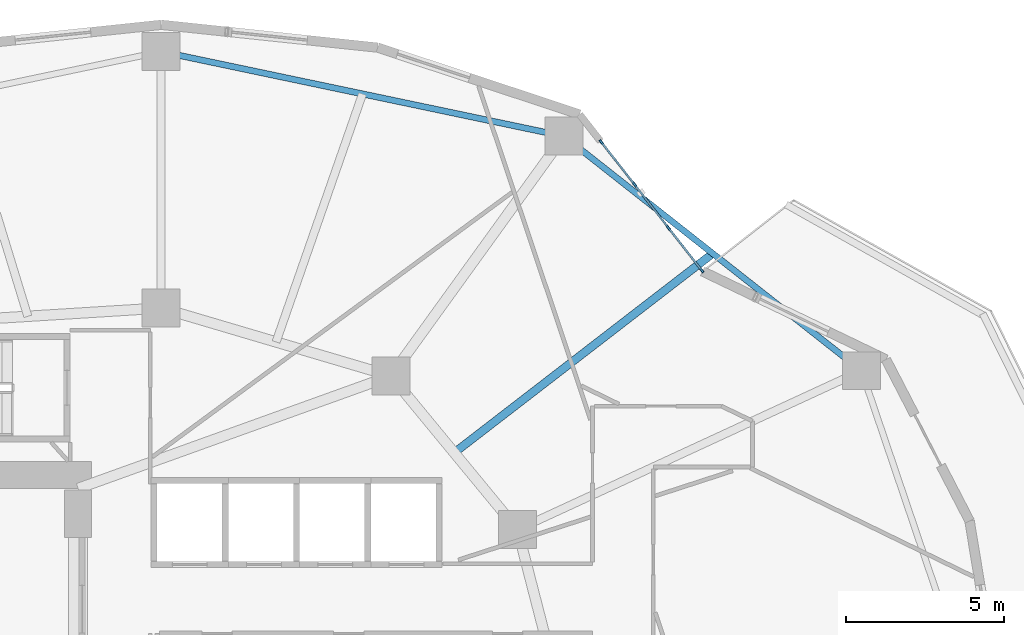
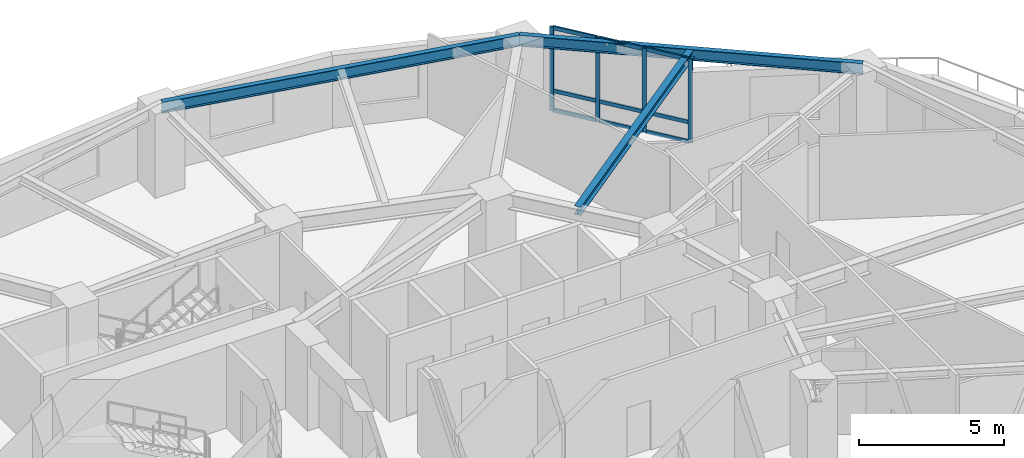
# One storey, part 3 of 12: 13 members, 3 beams, 1 element without a shape of its own.
"""IFC4 building model written with IfcOpenShell, lengths in metres."""

from ifc_helpers import new_model, si_unit, direction, frame, origin, origin_2d, place, context, subcontext, project, spatial, rectangle, i_section, extrude, material, layer, layer_set, material_profile, profile_set, type_object, element, aggregate, save


model = new_model("IFC4")

# Units and contexts
model_context = context("Model", 3, precision=1e-05, world=origin(), true_north=direction((0.0, 1.0)))
body_context = subcontext(model_context, "Body", "Model", "MODEL_VIEW")
ifc_project = project(units=[si_unit("LENGTHUNIT", "METRE"), si_unit("AREAUNIT", "SQUARE_METRE"), si_unit("VOLUMEUNIT", "CUBIC_METRE"), si_unit("PLANEANGLEUNIT", "RADIAN"), si_unit("MASSUNIT", "GRAM", prefix="KILO")], contexts=[model_context])

# Site, building, storey
site_placement = place(None, origin())
site = spatial("IfcSite", under=ifc_project, at=site_placement, CompositionType="ELEMENT")
building_placement = place(site_placement, origin())
building = spatial("IfcBuilding", under=site, at=building_placement, Name="Kolvaren Gate Tower and Convention Centre", CompositionType="ELEMENT")
storey_placement = place(building_placement, frame((0.0, 0.0, 91.949951171875)))
storey = spatial("IfcBuildingStorey", under=building, at=storey_placement, Name="L22", CompositionType="ELEMENT", Elevation=91.949951171875)

# Curtain wall, members
ifc_material_1 = material(Name="Anodized Architectural Aluminium Alloy 6063-T6", Category="aluminium")
ifc_layer = layer(ifc_material_1, 0.159912109375)
ifc_layer_set = layer_set([ifc_layer], Name="Anodized Architectural Aluminium Alloy 6063-T6")
curtain_wall_type = type_object("IfcCurtainWallType", Name="CW-OFF-UNIT", PredefinedType="NOTDEFINED", material=ifc_layer_set)
curtain_wall_placement = place(storey_placement, origin())
curtain_wall = element("IfcCurtainWall", 1, at=curtain_wall_placement, inside=storey, type_object=curtain_wall_type, Name="Tower L22 Unitised Curtain Wall CW-OFF-UNIT Bay 03", PredefinedType="NOTDEFINED")
ifc_material_profile_1 = material_profile(ifc_material_1, rectangle(XDim=0.06494140625, YDim=0.159912109375, at=origin_2d()), Name="CW-MEM-MUL-160")
ifc_profile_set_1 = profile_set([ifc_material_profile_1], Name="Anodized Architectural Aluminium Alloy 6063-T6")
member_type_1 = type_object("IfcMemberType", Name="CW-MEM-MUL-160", PredefinedType="MULLION", material=ifc_profile_set_1)
member_1_placement = place(storey_placement, frame((44.027099609375, 44.443603515625, 0.0), z_axis=(0.0, 0.0, 1.0), x_axis=(0.787406322976, 0.61643432946, 0.0)))
member_1 = element("IfcMember", 2, at=member_1_placement, type_object=member_type_1, Name="CW-02 mullion 1", PredefinedType="MULLION", context=body_context, shape_type="SweptSolid", body=[
    extrude(rectangle(XDim=0.06494140625, YDim=0.159912109375, at=origin_2d()), origin(), (0.0, 0.0, 1.0), 3.530029296875),
])
member_2_placement = place(storey_placement, frame((45.079345703125, 43.099365234375, 0.0), z_axis=(0.0, 0.0, 1.0), x_axis=(0.787406322976, 0.61643432946, 0.0)))
member_2 = element("IfcMember", 3, at=member_2_placement, type_object=member_type_1, Name="CW-02 mullion 2", PredefinedType="MULLION", context=body_context, shape_type="SweptSolid", body=[
    extrude(rectangle(XDim=0.06494140625, YDim=0.159912109375, at=origin_2d()), origin(), (0.0, 0.0, 1.0), 3.530029296875),
])
member_3_placement = place(storey_placement, frame((46.151611328125, 41.729736328125, 0.0), z_axis=(0.0, 0.0, 1.0), x_axis=(0.787406322976, 0.61643432946, 0.0)))
member_3 = element("IfcMember", 4, at=member_3_placement, type_object=member_type_1, Name="CW-02 mullion 3", PredefinedType="MULLION", context=body_context, shape_type="SweptSolid", body=[
    extrude(rectangle(XDim=0.06494140625, YDim=0.159912109375, at=origin_2d()), origin(), (0.0, 0.0, 1.0), 3.530029296875),
])
member_4_placement = place(storey_placement, frame((47.203857421875, 40.3857421875, 0.0), z_axis=(0.0, 0.0, 1.0), x_axis=(0.787406322976, 0.61643432946, 0.0)))
member_4 = element("IfcMember", 5, at=member_4_placement, type_object=member_type_1, Name="CW-02 mullion 4", PredefinedType="MULLION", context=body_context, shape_type="SweptSolid", body=[
    extrude(rectangle(XDim=0.06494140625, YDim=0.159912109375, at=origin_2d()), origin(), (0.0, 0.0, 1.0), 3.530029296875),
])
ifc_material_profile_2 = material_profile(ifc_material_1, rectangle(XDim=0.06494140625, YDim=0.159912109375, at=origin_2d()), Name="CW-MEM-TRN-160")
ifc_profile_set_2 = profile_set([ifc_material_profile_2], Name="Anodized Architectural Aluminium Alloy 6063-T6")
member_type_2 = type_object("IfcMemberType", Name="CW-MEM-TRN-160", PredefinedType="USERDEFINED", material=ifc_profile_set_2)
member_5_placement = place(storey_placement, frame((44.047119140625, 44.41796875, 0.032470703125), z_axis=(0.616428523412, -0.787410868304, 0.0), x_axis=(0.787410868304, 0.616428523412, 0.0)))
member_5 = element("IfcMember", 6, at=member_5_placement, type_object=member_type_2, Name="CW-02 transom 1.1", ObjectType="TRANSOM", PredefinedType="USERDEFINED", context=body_context, shape_type="SweptSolid", body=[
    extrude(rectangle(XDim=0.06494140625, YDim=0.159912109375, at=origin_2d()), origin(), (0.0, 0.0, 1.0), 1.64208984375),
])
member_6_placement = place(storey_placement, frame((44.047119140625, 44.41796875, 0.85009765625), z_axis=(0.616428523412, -0.787410868304, 0.0), x_axis=(0.787410868304, 0.616428523412, 0.0)))
member_6 = element("IfcMember", 7, at=member_6_placement, type_object=member_type_2, Name="CW-02 transom 1.2", ObjectType="TRANSOM", PredefinedType="USERDEFINED", context=body_context, shape_type="SweptSolid", body=[
    extrude(rectangle(XDim=0.06494140625, YDim=0.159912109375, at=origin_2d()), origin(), (0.0, 0.0, 1.0), 1.64208984375),
])
member_7_placement = place(storey_placement, frame((44.047119140625, 44.41796875, 3.49755859375), z_axis=(0.616428523412, -0.787410868304, 0.0), x_axis=(0.787410868304, 0.616428523412, 0.0)))
member_7 = element("IfcMember", 8, at=member_7_placement, type_object=member_type_2, Name="CW-02 transom 1.3", ObjectType="TRANSOM", PredefinedType="USERDEFINED", context=body_context, shape_type="SweptSolid", body=[
    extrude(rectangle(XDim=0.06494140625, YDim=0.159912109375, at=origin_2d()), origin(), (0.0, 0.0, 1.0), 1.64208984375),
])
member_8_placement = place(storey_placement, frame((45.099365234375, 43.07373046875, 0.032470703125), z_axis=(0.616481234943, -0.787369599974, 0.0), x_axis=(0.787369599974, 0.616481234943, 0.0)))
member_8 = element("IfcMember", 9, at=member_8_placement, type_object=member_type_2, Name="CW-02 transom 2.1", ObjectType="TRANSOM", PredefinedType="USERDEFINED", context=body_context, shape_type="SweptSolid", body=[
    extrude(rectangle(XDim=0.06494140625, YDim=0.159912109375, at=origin_2d()), origin(), (0.0, 0.0, 1.0), 1.67431640625),
])
member_9_placement = place(storey_placement, frame((45.099365234375, 43.07373046875, 0.85009765625), z_axis=(0.616481234943, -0.787369599974, 0.0), x_axis=(0.787369599974, 0.616481234943, 0.0)))
member_9 = element("IfcMember", 10, at=member_9_placement, type_object=member_type_2, Name="CW-02 transom 2.2", ObjectType="TRANSOM", PredefinedType="USERDEFINED", context=body_context, shape_type="SweptSolid", body=[
    extrude(rectangle(XDim=0.06494140625, YDim=0.159912109375, at=origin_2d()), origin(), (0.0, 0.0, 1.0), 1.67431640625),
])
member_10_placement = place(storey_placement, frame((45.099365234375, 43.07373046875, 3.49755859375), z_axis=(0.616481234943, -0.787369599974, 0.0), x_axis=(0.787369599974, 0.616481234943, 0.0)))
member_10 = element("IfcMember", 11, at=member_10_placement, type_object=member_type_2, Name="CW-02 transom 2.3", ObjectType="TRANSOM", PredefinedType="USERDEFINED", context=body_context, shape_type="SweptSolid", body=[
    extrude(rectangle(XDim=0.06494140625, YDim=0.159912109375, at=origin_2d()), origin(), (0.0, 0.0, 1.0), 1.67431640625),
])
member_11_placement = place(storey_placement, frame((46.171630859375, 41.7041015625, 0.032470703125), z_axis=(0.61650069609, -0.787354362228, 0.0), x_axis=(0.787354362228, 0.61650069609, 0.0)))
member_11 = element("IfcMember", 12, at=member_11_placement, type_object=member_type_2, Name="CW-02 transom 3.1", ObjectType="TRANSOM", PredefinedType="USERDEFINED", context=body_context, shape_type="SweptSolid", body=[
    extrude(rectangle(XDim=0.06494140625, YDim=0.159912109375, at=origin_2d()), origin(), (0.0, 0.0, 1.0), 1.641845703125),
])
member_12_placement = place(storey_placement, frame((46.171630859375, 41.7041015625, 0.85009765625), z_axis=(0.61650069609, -0.787354362228, 0.0), x_axis=(0.787354362228, 0.61650069609, 0.0)))
member_12 = element("IfcMember", 13, at=member_12_placement, type_object=member_type_2, Name="CW-02 transom 3.2", ObjectType="TRANSOM", PredefinedType="USERDEFINED", context=body_context, shape_type="SweptSolid", body=[
    extrude(rectangle(XDim=0.06494140625, YDim=0.159912109375, at=origin_2d()), origin(), (0.0, 0.0, 1.0), 1.641845703125),
])
member_13_placement = place(storey_placement, frame((46.171630859375, 41.7041015625, 3.49755859375), z_axis=(0.61650069609, -0.787354362228, 0.0), x_axis=(0.787354362228, 0.61650069609, 0.0)))
member_13 = element("IfcMember", 14, at=member_13_placement, type_object=member_type_2, Name="CW-02 transom 3.3", ObjectType="TRANSOM", PredefinedType="USERDEFINED", context=body_context, shape_type="SweptSolid", body=[
    extrude(rectangle(XDim=0.06494140625, YDim=0.159912109375, at=origin_2d()), origin(), (0.0, 0.0, 1.0), 1.641845703125),
])
aggregate(curtain_wall, [member_1, member_2, member_3, member_4, member_5, member_6, member_7, member_8, member_9, member_10, member_11, member_12, member_13])

# Beams
ifc_material_2 = material(Name="Structural steel ASTM A992 Grade 345 MPa", Category="steel")
ifc_material_profile_3 = material_profile(ifc_material_2, i_section(OverallWidth=0.2548828125, OverallDepth=0.35693359375, WebThickness=0.010498046875, FlangeThickness=0.018310546875, at=origin_2d()), Name="W360X101")
ifc_profile_set_3 = profile_set([ifc_material_profile_3], Name="Structural steel ASTM A992 Grade 345 MPa")
beam_type_1 = type_object("IfcBeamType", Name="STR-JS-W360X101", PredefinedType="JOIST", material=ifc_profile_set_3)
beam_1_placement = place(storey_placement, frame((39.3818359375, 34.627197265625, 3.3515625), z_axis=(0.791953664744, 0.610581192716, 0.0), x_axis=(-0.610581192716, 0.791953664744, 0.0)))
element("IfcBeam", 15, at=beam_1_placement, inside=storey, type_object=beam_type_1, Name="Tower L22 Secondary Composite Floor Joist J-02.1", PredefinedType="JOIST", context=body_context, shape_type="SweptSolid", body=[
    extrude(i_section(OverallWidth=0.2548828125, OverallDepth=0.35693359375, WebThickness=0.010498046875, FlangeThickness=0.018310546875, at=origin_2d()), origin(), (0.0, 0.0, 1.0), 10.31103515625),
])
ifc_material_profile_4 = material_profile(ifc_material_2, i_section(OverallWidth=0.194091796875, OverallDepth=0.468994140625, WebThickness=0.0126953125, FlangeThickness=0.0205078125, at=origin_2d()), Name="W460X106")
ifc_profile_set_4 = profile_set([ifc_material_profile_4], Name="Structural steel ASTM A992 Grade 345 MPa")
beam_type_2 = type_object("IfcBeamType", Name="STR-SP-W460X106", PredefinedType="SPANDREL", material=ifc_profile_set_4)
beam_2_placement = place(storey_placement, frame((52.248779296875, 37.218505859375, 3.295654296875), z_axis=(-0.785459824636, 0.618912646407, 0.0), x_axis=(-0.618912646407, -0.785459824636, 0.0)))
element("IfcBeam", 16, at=beam_2_placement, inside=storey, type_object=beam_type_2, Name="Tower L22 Perimeter Spandrel Beam SP-02", PredefinedType="SPANDREL", context=body_context, shape_type="SweptSolid", body=[
    extrude(i_section(OverallWidth=0.194091796875, OverallDepth=0.468994140625, WebThickness=0.0126953125, FlangeThickness=0.0205078125, at=origin_2d()), origin(), (0.0, 0.0, 1.0), 11.970458984375),
])
beam_3_placement = place(storey_placement, frame((42.846435546875, 44.627197265625, 3.295654296875), z_axis=(-0.978632602148, 0.205616706552, 0.0), x_axis=(-0.205616706552, -0.978632602148, 0.0)))
element("IfcBeam", 17, at=beam_3_placement, inside=storey, type_object=beam_type_2, Name="Tower L22 Perimeter Spandrel Beam SP-03", PredefinedType="SPANDREL", context=body_context, shape_type="SweptSolid", body=[
    extrude(i_section(OverallWidth=0.194091796875, OverallDepth=0.468994140625, WebThickness=0.0126953125, FlangeThickness=0.0205078125, at=origin_2d()), origin(), (0.0, 0.0, 1.0), 12.999267578125),
])

save(model, "model.ifc")
